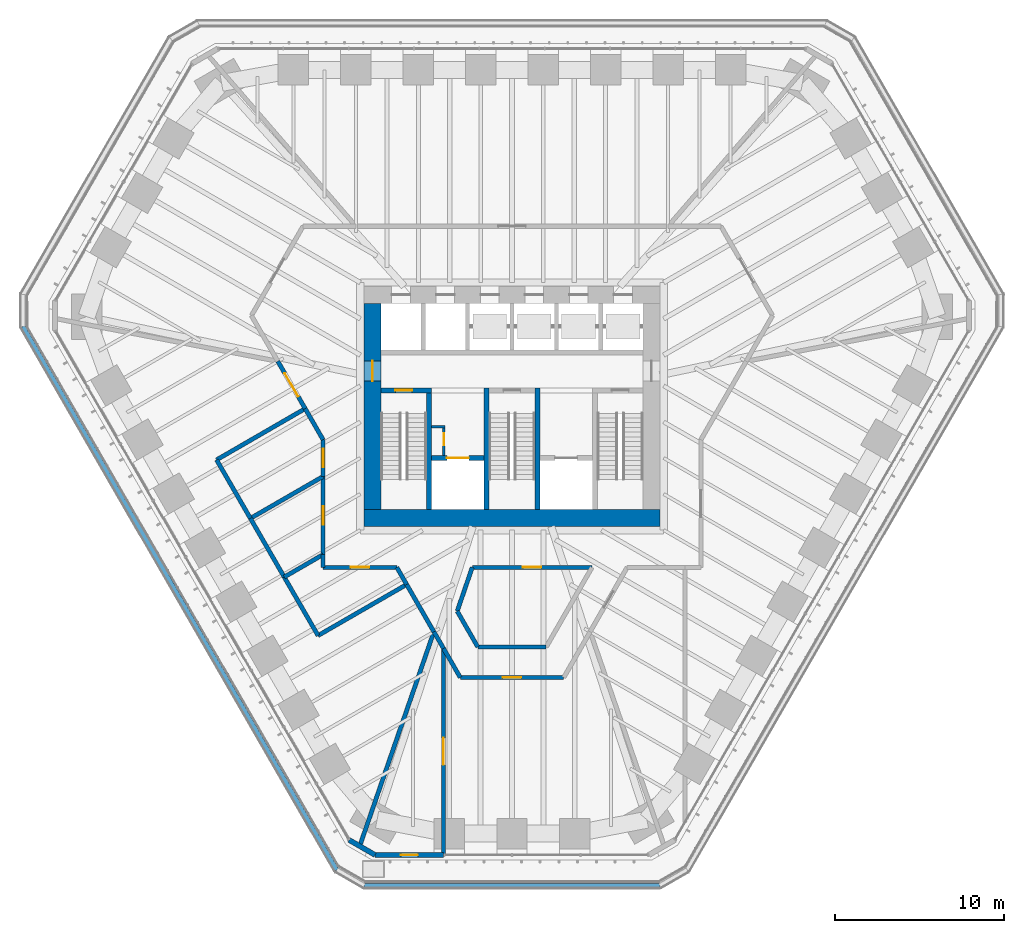
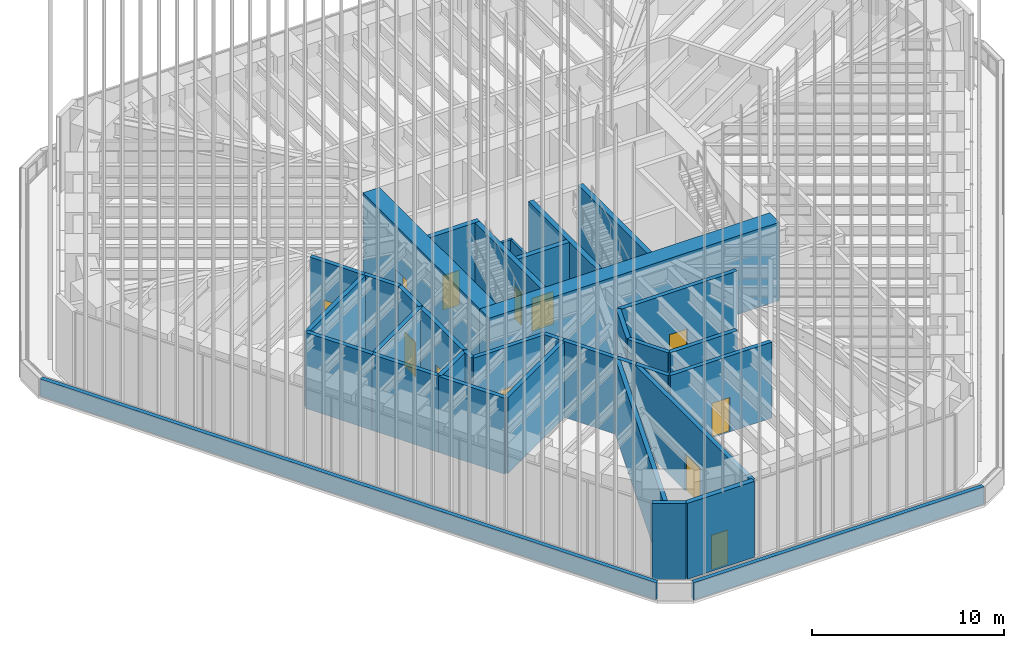
# One storey, part 220 of 228: 37 walls, 12 doors, 12 openings.
"""IFC4 building model written with IfcOpenShell, lengths in metres."""

import ifcopenshell
import ifcopenshell.guid

model = None  # the IFC model being written
_history = None  # IfcOwnerHistory: only IFC2X3 demands one
_inside = {}  # id of a spatial element -> (the spatial element, [elements in it])
_under = {}  # id of a project, library or spatial element -> (it, [spatial elements below it])
_declared = {}  # id of a project -> (the project, [libraries it declares])
_typed = {}  # id of a type object -> (the type object, [elements of that type])
_made_of = {}  # id of a material, layer set ... -> (it, [elements and type objects made of it])


def new_model(schema):
    """Start an empty IFC model of exactly this schema.

    Asked for "IFC4X3", IfcOpenShell would pick the latest addendum, in which some entities
    have other attributes; the version numbers below select the first issue.
    IFC2X3 requires an IfcOwnerHistory on every rooted entity: one is made here for all.
    """
    global model, _history
    if schema == "IFC4X3":
        model = ifcopenshell.file(schema_version=(4, 3, 0, 0))
    else:
        model = ifcopenshell.file(schema=schema)
    _inside.clear()
    _under.clear()
    _declared.clear()
    _typed.clear()
    _made_of.clear()
    _history = None
    if model.schema == "IFC2X3":
        org = make("IfcOrganization", Name="unknown")
        user = make(
            "IfcPersonAndOrganization",
            ThePerson=make("IfcPerson", FamilyName="unknown"),
            TheOrganization=org,
        )
        app = make(
            "IfcApplication",
            ApplicationDeveloper=org,
            Version="unknown",
            ApplicationFullName="unknown",
            ApplicationIdentifier="unknown",
        )
        _history = make(
            "IfcOwnerHistory",
            OwningUser=user,
            OwningApplication=app,
            ChangeAction="ADDED",
            CreationDate=0,
        )
    return model


def make(cls, **values):
    """One entity of the class cls with the attributes given. An attribute that is None is left unset."""
    return model.create_entity(
        cls, **{name: value for name, value in values.items() if value is not None}
    )


def rooted(cls, **values):
    """An entity with a GlobalId (a new one), such as an element, a storey or a relation."""
    return make(cls, GlobalId=ifcopenshell.guid.new(), OwnerHistory=_history, **values)


def si_unit(unit_type, name, prefix=None):
    """IfcSIUnit, for example si_unit("LENGTHUNIT", "METRE", prefix="MILLI")."""
    return make("IfcSIUnit", UnitType=unit_type, Prefix=prefix, Name=name)


def assignment(units):
    """IfcUnitAssignment: the units of a project."""
    return None if units is None else make("IfcUnitAssignment", Units=units)


def point(xyz):
    """IfcCartesianPoint."""
    return None if xyz is None else make("IfcCartesianPoint", Coordinates=xyz)


def direction(xyz):
    """IfcDirection."""
    return None if xyz is None else make("IfcDirection", DirectionRatios=xyz)


def frame(location, z_axis=None, x_axis=None):
    """IfcAxis2Placement3D, a coordinate frame: its origin and axes. An axis left out is left unset."""
    return make(
        "IfcAxis2Placement3D",
        Location=point(location),
        Axis=direction(z_axis),
        RefDirection=direction(x_axis),
    )


def frame_2d(location, x_axis=None):
    """IfcAxis2Placement2D, a coordinate frame in the plane: its origin and x axis."""
    return make(
        "IfcAxis2Placement2D", Location=point(location), RefDirection=direction(x_axis)
    )


def origin():
    """The frame at (0, 0, 0) with its axes left unset."""
    return frame((0.0, 0.0, 0.0))


def place(relative_to, where):
    """IfcLocalPlacement: puts the frame where relative to a parent placement (None: the world)."""
    return make(
        "IfcLocalPlacement", PlacementRelTo=relative_to, RelativePlacement=where
    )


def context(
    kind, dimensions, precision=None, world=None, true_north=None, identifier=None
):
    """IfcGeometricRepresentationContext, for example the 3D "Model" context."""
    return make(
        "IfcGeometricRepresentationContext",
        ContextIdentifier=identifier,
        ContextType=kind,
        CoordinateSpaceDimension=dimensions,
        Precision=precision,
        WorldCoordinateSystem=world,
        TrueNorth=true_north,
    )


def subcontext(parent, identifier, kind, view, scale=None):
    """IfcGeometricRepresentationSubContext, for example "Body" below "Model"."""
    return make(
        "IfcGeometricRepresentationSubContext",
        ContextIdentifier=identifier,
        ContextType=kind,
        ParentContext=parent,
        TargetScale=scale,
        TargetView=view,
    )


def project(units=None, contexts=None):
    """IfcProject with its units and contexts."""
    return rooted(
        "IfcProject",
        Name="project",
        RepresentationContexts=contexts,
        UnitsInContext=assignment(units),
    )


def spatial(cls, under=None, at=None, **own):
    """A site, building, storey or space (cls), placed at a placement, below another one or the project."""
    s = rooted(cls, ObjectPlacement=at, **own)
    if under is not None:
        _under.setdefault(under.id(), (under, []))[1].append(s)
    return s


def profile(cls, at=None, kind="AREA", **sizes):
    """A parametric profile (cls). Its sizes go by their IFC names, for example OverallWidth=200.0."""
    return make(cls, ProfileType=kind, Position=at, **sizes)


def rectangle(**sizes):
    """IfcRectangleProfileDef."""
    return profile("IfcRectangleProfileDef", **sizes)


def extrude(swept, where, along, depth):
    """IfcExtrudedAreaSolid: the profile swept, set in the frame where, extruded along a direction by depth."""
    return make(
        "IfcExtrudedAreaSolid",
        SweptArea=swept,
        Position=where,
        ExtrudedDirection=direction(along),
        Depth=depth,
    )


def shape(context_of_items, identifier, shape_type, items):
    """IfcShapeRepresentation: the items that make up one representation, for example the "Body"."""
    return make(
        "IfcShapeRepresentation",
        ContextOfItems=context_of_items,
        RepresentationIdentifier=identifier,
        RepresentationType=shape_type,
        Items=items,
    )


def material(Name=None, Category=None):
    """IfcMaterial."""
    return make("IfcMaterial", Name=Name, Category=Category)


def layer(
    of_material, thickness, ventilated=None, Name=None, Category=None, Priority=None
):
    """IfcMaterialLayer: one layer of a wall or slab, of a material (None: an air gap)."""
    return make(
        "IfcMaterialLayer",
        Material=of_material,
        LayerThickness=thickness,
        IsVentilated=ventilated,
        Name=Name,
        Category=Category,
        Priority=Priority,
    )


def layer_set(layers, Name=None):
    """IfcMaterialLayerSet."""
    return make("IfcMaterialLayerSet", MaterialLayers=layers, LayerSetName=Name)


def made_of(thing, what):
    """Note that an element or type object is made of a material, layer set ...; save() writes the relation."""
    if what is not None:
        _made_of.setdefault(what.id(), (what, []))[1].append(thing)
    return thing


def type_object(cls, material=None, **own):
    """A type object (cls), such as IfcWallType, which elements share."""
    return made_of(rooted(cls, **own), material)


def element(
    cls,
    number,
    at=None,
    inside=None,
    cuts=None,
    type_object=None,
    material=None,
    context=None,
    identifier="Body",
    shape_type=None,
    held_by="IfcProductDefinitionShape",
    body=None,
    shapes=None,
    **own,
):
    """One element of the class cls, such as IfcWall. Its Tag is "e" and its number.

    at: its placement. inside: the storey or other place that contains it. cuts: it is an
    opening in that element (IfcRelVoidsElement). A single representation is given by context,
    identifier, shape_type and body (its items); several are given by shapes. held_by: the class
    of the entity that holds the representations. save() writes the other relations.
    """
    e = rooted(cls, Tag="e%d" % number, ObjectPlacement=at, **own)
    if body is not None:
        shapes = [shape(context, identifier, shape_type, body)]
    if shapes is not None:
        e.Representation = make(held_by, Representations=shapes)
    if inside is not None:
        _inside.setdefault(inside.id(), (inside, []))[1].append(e)
    if cuts is not None:
        rooted(
            "IfcRelVoidsElement", RelatingBuildingElement=cuts, RelatedOpeningElement=e
        )
    if type_object is not None:
        _typed.setdefault(type_object.id(), (type_object, []))[1].append(e)
    return made_of(e, material)


def fill(opening, filler):
    """IfcRelFillsElement: the door or window that sits in an opening."""
    return rooted(
        "IfcRelFillsElement",
        RelatingOpeningElement=opening,
        RelatedBuildingElement=filler,
    )


def aggregate(whole, parts):
    """IfcRelAggregates: a whole, such as a stair, and the parts it consists of."""
    return rooted("IfcRelAggregates", RelatingObject=whole, RelatedObjects=parts)


def save(model, path):
    """Write the relations noted so far, then the file.

    IfcRelAggregates (storeys below a building ...), IfcRelContainedInSpatialStructure (elements
    in a storey), IfcRelDefinesByType, IfcRelAssociatesMaterial and IfcRelDeclares: one each for
    every whole, place, type object, material and project.
    """
    for whole, parts in _under.values():
        aggregate(whole, parts)
    for where, things in _inside.values():
        rooted(
            "IfcRelContainedInSpatialStructure",
            RelatedElements=things,
            RelatingStructure=where,
        )
    for kind, things in _typed.values():
        rooted("IfcRelDefinesByType", RelatedObjects=things, RelatingType=kind)
    for what, things in _made_of.values():
        rooted("IfcRelAssociatesMaterial", RelatedObjects=things, RelatingMaterial=what)
    for by, libraries in _declared.values():
        rooted("IfcRelDeclares", RelatingContext=by, RelatedDefinitions=libraries)
    model.write(path)


model = new_model("IFC4")

# Units and contexts
model_context = context("Model", 3, precision=1e-05, world=origin(), true_north=direction((0.0, 1.0)))
body_context = subcontext(model_context, "Body", "Model", "MODEL_VIEW")
ifc_project = project(units=[si_unit("LENGTHUNIT", "METRE"), si_unit("AREAUNIT", "SQUARE_METRE"), si_unit("VOLUMEUNIT", "CUBIC_METRE"), si_unit("PLANEANGLEUNIT", "RADIAN"), si_unit("MASSUNIT", "GRAM", prefix="KILO")], contexts=[model_context])

# Site, building, storey
site_placement = place(None, origin())
site = spatial("IfcSite", under=ifc_project, at=site_placement, CompositionType="ELEMENT")
building_placement = place(site_placement, origin())
building = spatial("IfcBuilding", under=site, at=building_placement, Name="Sandreach Pilgrim Tower", CompositionType="ELEMENT")
storey_placement = place(building_placement, frame((0.0, 0.0, 178.199951171875)))
storey = spatial("IfcBuildingStorey", under=building, at=storey_placement, Name="L44", CompositionType="ELEMENT", Elevation=178.199951171875)

# Walls
ifc_material_1 = material(Name="Concrete 10000 psi", Category="concrete")
ifc_layer_1 = layer(ifc_material_1, 0.300048828125)
ifc_layer_set_1 = layer_set([ifc_layer_1], Name="Core inner wall 300")
wall_type_1 = type_object("IfcWallType", Name="Core inner wall 300", PredefinedType="SHEAR", material=ifc_layer_set_1)
for number, where, z_axis, x_axis, name in (
    (1, (-4.89990234375, -6.10009765625, 0.0), (0.0, 0.0, 1.0), (0.0, 1.0, 0.0), "Core wall I0 L44"),
    (2, (-1.5, -6.10009765625, 0.0), (0.0, 0.0, 1.0), (0.0, 1.0, 0.0), "Core wall I1 L44"),
    (3, (1.5, -6.10009765625, 0.0), (0.0, 0.0, 1.0), (0.0, 1.0, 0.0), "Core wall I2 L44"),
):
    element("IfcWall", number, at=place(storey_placement, frame(where, z_axis=z_axis, x_axis=x_axis)), inside=storey, type_object=wall_type_1, Name=name, PredefinedType="SHEAR", context=body_context, shape_type="SweptSolid", body=[
        extrude(rectangle(XDim=7.2001953125, YDim=0.300048828125, at=frame_2d((3.60009765625, 0.0))), origin(), (0.0, 0.0, 1.0), 5.0),
    ])

# Wall, opening, door
wall_1_placement = place(storey_placement, frame((-7.75, 0.949951171875, 0.0), z_axis=(0.0, 0.0, 1.0), x_axis=(1.0, 0.0, 0.0)))
wall_1 = element("IfcWall", 4, at=wall_1_placement, inside=storey, type_object=wall_type_1, Name="Core wall SN1 L44", PredefinedType="SHEAR", context=body_context, shape_type="SweptSolid", body=[
    extrude(rectangle(XDim=3.0, YDim=0.300048828125, at=frame_2d((1.5, 0.0))), origin(), (0.0, 0.0, 1.0), 5.0),
])
opening_1_placement = place(wall_1_placement, frame((0.85009765625, 0.0, 0.0)))
opening_1 = element("IfcOpeningElement", 5, at=opening_1_placement, cuts=wall_1, Name="Opening D10S-ST1", PredefinedType="OPENING", context=body_context, shape_type="SweptSolid", body=[
    extrude(rectangle(XDim=1.0, YDim=2.199951171875, at=frame_2d((0.5, 1.10009765625))), frame((0.0, 0.14990234375, 0.0), z_axis=(0.0, -1.0, 0.0), x_axis=(1.0, 0.0, 0.0)), (0.0, 0.0, 1.0), 0.300048828125),
])
ifc_material_2 = material(Name="Steel door and frame", Category="steel")
door_type_1 = type_object("IfcDoorType", Name="Stair door", OperationType="SINGLE_SWING_LEFT", PredefinedType="DOOR", material=ifc_material_2)
door_1_placement = place(opening_1_placement, origin())
door_1 = element("IfcDoor", 6, at=door_1_placement, inside=storey, type_object=door_type_1, Name="Stair door ST1 L44", OperationType="SINGLE_SWING_LEFT", OverallHeight=2.199951171875, OverallWidth=1.0, PredefinedType="DOOR", context=body_context, shape_type="SweptSolid", body=[
    extrude(rectangle(XDim=1.0, YDim=2.199951171875, at=frame_2d((0.5, 1.10009765625))), frame((0.0, 0.02490234375, 0.0), z_axis=(0.0, -1.0, 0.0), x_axis=(1.0, 0.0, 0.0)), (0.0, 0.0, 1.0), 0.050048828125),
])
fill(opening_1, door_1)

wall_2_placement = place(storey_placement, frame((-4.75, -3.050048828125, 0.0), z_axis=(0.0, 0.0, 1.0), x_axis=(1.0, 0.0, 0.0)))
wall_2 = element("IfcWall", 7, at=wall_2_placement, inside=storey, type_object=wall_type_1, Name="Core wall FL1 L44", PredefinedType="SHEAR", context=body_context, shape_type="SweptSolid", body=[
    extrude(rectangle(XDim=3.10009765625, YDim=0.300048828125, at=frame_2d((1.550048828125, 0.0))), origin(), (0.0, 0.0, 1.0), 5.0),
])
opening_2_placement = place(wall_2_placement, frame((0.89990234375, 0.0, 0.0)))
opening_2 = element("IfcOpeningElement", 8, at=opening_2_placement, cuts=wall_2, Name="Opening LD13", PredefinedType="OPENING", context=body_context, shape_type="SweptSolid", body=[
    extrude(rectangle(XDim=1.300048828125, YDim=2.10009765625, at=frame_2d((0.64990234375, 1.050048828125))), frame((0.0, 0.14990234375, 0.0), z_axis=(0.0, -1.0, 0.0), x_axis=(1.0, 0.0, 0.0)), (0.0, 0.0, 1.0), 0.300048828125),
])
ifc_material_3 = material(Name="Steel door and frame", Category="steel")
door_type_2 = type_object("IfcDoorType", Name="Fire service lift landing door", OperationType="DOUBLE_DOOR_SLIDING", PredefinedType="DOOR", material=ifc_material_3)
door_2_placement = place(opening_2_placement, origin())
door_2 = element("IfcDoor", 9, at=door_2_placement, inside=storey, type_object=door_type_2, Name="Lift landing door FS1 L44", OperationType="DOUBLE_DOOR_SLIDING", OverallHeight=2.10009765625, OverallWidth=1.300048828125, PredefinedType="DOOR", context=body_context, shape_type="SweptSolid", body=[
    extrude(rectangle(XDim=1.300048828125, YDim=2.10009765625, at=frame_2d((0.64990234375, 1.050048828125))), frame((0.0, 0.02490234375, 0.0), z_axis=(0.0, -1.0, 0.0), x_axis=(1.0, 0.0, 0.0)), (0.0, 0.0, 1.0), 0.050048828125),
])
fill(opening_2, door_2)

# Wall
ifc_material_4 = material(Name="Concrete 10000 psi", Category="concrete")
ifc_layer_2 = layer(ifc_material_4, 1.0)
ifc_layer_set_2 = layer_set([ifc_layer_2], Name="Core wall 1000")
wall_type_2 = type_object("IfcWallType", Name="Core wall 1000", PredefinedType="SHEAR", material=ifc_layer_set_2)
wall_3_placement = place(storey_placement, frame((-8.75, -6.60009765625, 0.0), z_axis=(0.0, 0.0, 1.0), x_axis=(1.0, 0.0, 0.0)))
element("IfcWall", 10, at=wall_3_placement, inside=storey, type_object=wall_type_2, Name="Core wall S L44", PredefinedType="SHEAR", context=body_context, shape_type="SweptSolid", body=[
    extrude(rectangle(XDim=17.5, YDim=1.0, at=frame_2d((8.75, 0.0))), origin(), (0.0, 0.0, 1.0), 5.0),
])

# Wall, opening, door
wall_4_placement = place(storey_placement, frame((-8.25, -6.10009765625, 0.0), z_axis=(0.0, 0.0, 1.0), x_axis=(0.0, 1.0, 0.0)))
wall_4 = element("IfcWall", 11, at=wall_4_placement, inside=storey, type_object=wall_type_2, Name="Core wall W L44", PredefinedType="SHEAR", context=body_context, shape_type="SweptSolid", body=[
    extrude(rectangle(XDim=12.2001953125, YDim=1.0, at=frame_2d((6.10009765625, 0.0))), origin(), (0.0, 0.0, 1.0), 5.0),
])
opening_3_placement = place(wall_4_placement, frame((7.60009765625, 0.0, 0.0)))
opening_3 = element("IfcOpeningElement", 12, at=opening_3_placement, cuts=wall_4, Name="Opening D12F-W", PredefinedType="OPENING", context=body_context, shape_type="SweptSolid", body=[
    extrude(rectangle(XDim=1.199951171875, YDim=2.199951171875, at=frame_2d((0.60009765625, 1.10009765625))), frame((0.0, 0.5, 0.0), z_axis=(0.0, -1.0, 0.0), x_axis=(1.0, 0.0, 0.0)), (0.0, 0.0, 1.0), 1.0),
])
ifc_material_5 = material(Name="Steel door and frame", Category="steel")
door_type_3 = type_object("IfcDoorType", Name="Fire lobby door", OperationType="SINGLE_SWING_LEFT", PredefinedType="DOOR", material=ifc_material_5)
door_3_placement = place(opening_3_placement, origin())
door_3 = element("IfcDoor", 13, at=door_3_placement, inside=storey, type_object=door_type_3, Name="Fire service lobby door W L44", OperationType="SINGLE_SWING_RIGHT", OverallHeight=2.199951171875, OverallWidth=1.199951171875, PredefinedType="DOOR", context=body_context, shape_type="SweptSolid", body=[
    extrude(rectangle(XDim=1.199951171875, YDim=2.199951171875, at=frame_2d((0.60009765625, 1.10009765625))), frame((0.0, 0.02490234375, 0.0), z_axis=(0.0, -1.0, 0.0), x_axis=(1.0, 0.0, 0.0)), (0.0, 0.0, 1.0), 0.050048828125),
])
fill(opening_3, door_3)

# Walls
ifc_material_6 = material(Name="Acoustic gypsum board wall, double frame", Category="gypsum")
ifc_layer_3 = layer(ifc_material_6, 0.25)
ifc_layer_set_3 = layer_set([ifc_layer_3], Name="Hall partition 250")
wall_type_3 = type_object("IfcWallType", Name="Hall partition 250", PredefinedType="PARTITIONING", material=ifc_layer_set_3)
wall_5_placement = place(storey_placement, frame((-17.469970703125, -3.159912109375, 0.0), z_axis=(0.0, 0.0, 1.0), x_axis=(0.50044857655, -0.865766263046, 0.0)))
element("IfcWall", 14, at=wall_5_placement, inside=storey, type_object=wall_type_3, Name="Hall partition L44-002", PredefinedType="PARTITIONING", context=body_context, shape_type="SweptSolid", body=[
    extrude(rectangle(XDim=3.996337890625, YDim=0.25, at=frame_2d((1.998046875, 0.0))), origin(), (0.0, 0.0, 1.0), 4.840087890625),
])
wall_6_placement = place(storey_placement, frame((-15.469970703125, -6.6201171875, 0.0), z_axis=(0.0, 0.0, 1.0), x_axis=(0.499365324853, -0.866391523697, 0.0)))
element("IfcWall", 15, at=wall_6_placement, inside=storey, type_object=wall_type_3, Name="Hall partition L44-003", PredefinedType="PARTITIONING", context=body_context, shape_type="SweptSolid", body=[
    extrude(rectangle(XDim=4.005126953125, YDim=0.25, at=frame_2d((2.00244140625, 0.0))), origin(), (0.0, 0.0, 1.0), 4.840087890625),
])

# Wall, opening, door
wall_7_placement = place(storey_placement, frame((-13.85009765625, 2.669921875, 0.0), z_axis=(0.0, 0.0, 1.0), x_axis=(0.50081313458, -0.865555431057, 0.0)))
wall_7 = element("IfcWall", 16, at=wall_7_placement, inside=storey, type_object=wall_type_3, Name="Hall partition L44-005", PredefinedType="PARTITIONING", context=body_context, shape_type="SweptSolid", body=[
    extrude(rectangle(XDim=3.23486328125, YDim=0.25, at=frame_2d((1.617431640625, 0.0))), origin(), (0.0, 0.0, 1.0), 4.840087890625),
])
opening_4_placement = place(wall_7_placement, frame((0.8173828125, 0.0, 0.0)))
opening_4 = element("IfcOpeningElement", 17, at=opening_4_placement, cuts=wall_7, Name="Opening D16-05", PredefinedType="OPENING", context=body_context, shape_type="SweptSolid", body=[
    extrude(rectangle(XDim=1.60009765625, YDim=2.39990234375, at=frame_2d((0.800048828125, 1.199951171875))), frame((0.0, 0.125, 0.0), z_axis=(0.0, -1.0, 0.0), x_axis=(1.0, 0.0, 0.0)), (0.0, 0.0, 1.0), 0.25),
])
ifc_material_7 = material(Name="Steel door and frame", Category="steel")
door_type_4 = type_object("IfcDoorType", Name="Hall double door", OperationType="DOUBLE_DOOR_SINGLE_SWING", PredefinedType="DOOR", material=ifc_material_7)
door_4_placement = place(opening_4_placement, origin())
door_4 = element("IfcDoor", 18, at=door_4_placement, inside=storey, type_object=door_type_4, Name="Door 4405", OperationType="DOUBLE_DOOR_SINGLE_SWING", OverallHeight=2.39990234375, OverallWidth=1.60009765625, PredefinedType="DOOR", context=body_context, shape_type="SweptSolid", body=[
    extrude(rectangle(XDim=1.60009765625, YDim=2.39990234375, at=frame_2d((0.800048828125, 1.199951171875))), frame((0.0, 0.02490234375, 0.0), z_axis=(0.0, -1.0, 0.0), x_axis=(1.0, 0.0, 0.0)), (0.0, 0.0, 1.0), 0.050048828125),
])
fill(opening_4, door_4)

# Walls
wall_8_placement = place(storey_placement, frame((-13.469970703125, -10.090087890625, 0.0), z_axis=(0.0, 0.0, 1.0), x_axis=(0.50044857655, -0.865766263046, 0.0)))
element("IfcWall", 19, at=wall_8_placement, inside=storey, type_object=wall_type_3, Name="Hall partition L44-006", PredefinedType="PARTITIONING", context=body_context, shape_type="SweptSolid", body=[
    extrude(rectangle(XDim=3.996337890625, YDim=0.25, at=frame_2d((1.998046875, 0.0))), origin(), (0.0, 0.0, 1.0), 4.840087890625),
])
wall_9_placement = place(storey_placement, frame((-12.22998046875, -0.1298828125, 0.0), z_axis=(0.0, 0.0, 1.0), x_axis=(-0.865687585241, -0.500584662928, 0.0)))
element("IfcWall", 20, at=wall_9_placement, inside=storey, type_object=wall_type_3, Name="Hall partition L44-008", PredefinedType="PARTITIONING", context=body_context, shape_type="SweptSolid", body=[
    extrude(rectangle(XDim=6.052978515625, YDim=0.25, at=frame_2d((3.0263671875, 0.0))), origin(), (0.0, 0.0, 1.0), 4.840087890625),
])
wall_10_placement = place(storey_placement, frame((-12.22998046875, -0.1298828125, 0.0), z_axis=(0.0, 0.0, 1.0), x_axis=(0.499181595673, -0.866497394423, 0.0)))
element("IfcWall", 21, at=wall_10_placement, inside=storey, type_object=wall_type_3, Name="Hall partition L44-009", PredefinedType="PARTITIONING", context=body_context, shape_type="SweptSolid", body=[
    extrude(rectangle(XDim=2.12353515625, YDim=0.25, at=frame_2d((1.061767578125, 0.0))), origin(), (0.0, 0.0, 1.0), 4.840087890625),
])
wall_11_placement = place(storey_placement, frame((-11.469970703125, -13.550048828125, 0.0), z_axis=(0.0, 0.0, 1.0), x_axis=(0.866403916982, 0.499343822069, 0.0)))
element("IfcWall", 22, at=wall_11_placement, inside=storey, type_object=wall_type_3, Name="Hall partition L44-010", PredefinedType="PARTITIONING", context=body_context, shape_type="SweptSolid", body=[
    extrude(rectangle(XDim=6.048095703125, YDim=0.25, at=frame_2d((3.02392578125, 0.0))), origin(), (0.0, 0.0, 1.0), 4.840087890625),
])

# Wall, opening, door
wall_12_placement = place(storey_placement, frame((-11.169921875, -9.52001953125, 0.0), z_axis=(0.0, 0.0, 1.0), x_axis=(1.0, 0.0, 0.0)))
wall_12 = element("IfcWall", 23, at=wall_12_placement, inside=storey, type_object=wall_type_3, Name="Hall partition L44-011", PredefinedType="PARTITIONING", context=body_context, shape_type="SweptSolid", body=[
    extrude(rectangle(XDim=4.35986328125, YDim=0.25, at=frame_2d((2.179931640625, 0.0))), origin(), (0.0, 0.0, 1.0), 4.840087890625),
])
opening_5_placement = place(wall_12_placement, frame((1.6298828125, 0.0, 0.0)))
opening_5 = element("IfcOpeningElement", 24, at=opening_5_placement, cuts=wall_12, Name="Opening D11H-T3", PredefinedType="OPENING", context=body_context, shape_type="SweptSolid", body=[
    extrude(rectangle(XDim=1.10009765625, YDim=2.199951171875, at=frame_2d((0.550048828125, 1.10009765625))), frame((0.0, 0.125, 0.0), z_axis=(0.0, -1.0, 0.0), x_axis=(1.0, 0.0, 0.0)), (0.0, 0.0, 1.0), 0.25),
])
ifc_material_8 = material(Name="Steel door and frame", Category="steel")
door_type_5 = type_object("IfcDoorType", Name="Back of house door", OperationType="SINGLE_SWING_LEFT", PredefinedType="DOOR", material=ifc_material_8)
door_5_placement = place(opening_5_placement, origin())
door_5 = element("IfcDoor", 25, at=door_5_placement, inside=storey, type_object=door_type_5, Name="Door 44T3", OperationType="SINGLE_SWING_LEFT", OverallHeight=2.199951171875, OverallWidth=1.10009765625, PredefinedType="DOOR", context=body_context, shape_type="SweptSolid", body=[
    extrude(rectangle(XDim=1.10009765625, YDim=2.199951171875, at=frame_2d((0.550048828125, 1.10009765625))), frame((0.0, 0.02490234375, 0.0), z_axis=(0.0, -1.0, 0.0), x_axis=(1.0, 0.0, 0.0)), (0.0, 0.0, 1.0), 0.050048828125),
])
fill(opening_5, door_5)

# Walls
wall_13_placement = place(storey_placement, frame((-11.169921875, -8.760009765625, 0.0), z_axis=(0.0, 0.0, 1.0), x_axis=(-0.865675724273, -0.500605174168, 0.0)))
element("IfcWall", 26, at=wall_13_placement, inside=storey, type_object=wall_type_3, Name="Hall partition L44-012", PredefinedType="PARTITIONING", context=body_context, shape_type="SweptSolid", body=[
    extrude(rectangle(XDim=2.656982421875, YDim=0.25, at=frame_2d((1.32861328125, 0.0))), origin(), (0.0, 0.0, 1.0), 4.840087890625),
])
wall_14_placement = place(storey_placement, frame((-11.169921875, -8.760009765625, 0.0), z_axis=(0.0, 0.0, 1.0), x_axis=(0.0, -1.0, 0.0)))
element("IfcWall", 27, at=wall_14_placement, inside=storey, type_object=wall_type_3, Name="Hall partition L44-013", PredefinedType="PARTITIONING", context=body_context, shape_type="SweptSolid", body=[
    extrude(rectangle(XDim=0.760009765625, YDim=0.25, at=frame_2d((0.3798828125, 0.0))), origin(), (0.0, 0.0, 1.0), 4.840087890625),
])
wall_15_placement = place(storey_placement, frame((-11.169921875, -4.139892578125, 0.0), z_axis=(0.0, 0.0, 1.0), x_axis=(-0.866235527521, -0.499635878276, 0.0)))
element("IfcWall", 28, at=wall_15_placement, inside=storey, type_object=wall_type_3, Name="Hall partition L44-014", PredefinedType="PARTITIONING", context=body_context, shape_type="SweptSolid", body=[
    extrude(rectangle(XDim=4.964111328125, YDim=0.25, at=frame_2d((2.48193359375, 0.0))), origin(), (0.0, 0.0, 1.0), 4.840087890625),
])

# Wall, opening, door
wall_16_placement = place(storey_placement, frame((-11.169921875, -4.139892578125, 0.0), z_axis=(0.0, 0.0, 1.0), x_axis=(0.0, -1.0, 0.0)))
wall_16 = element("IfcWall", 29, at=wall_16_placement, inside=storey, type_object=wall_type_3, Name="Hall partition L44-015", PredefinedType="PARTITIONING", context=body_context, shape_type="SweptSolid", body=[
    extrude(rectangle(XDim=4.6201171875, YDim=0.25, at=frame_2d((2.31005859375, 0.0))), origin(), (0.0, 0.0, 1.0), 4.840087890625),
])
opening_6_placement = place(wall_16_placement, frame((1.760009765625, 0.0, 0.0)))
opening_6 = element("IfcOpeningElement", 30, at=opening_6_placement, cuts=wall_16, Name="Opening D11H-T2", PredefinedType="OPENING", context=body_context, shape_type="SweptSolid", body=[
    extrude(rectangle(XDim=1.10009765625, YDim=2.199951171875, at=frame_2d((0.550048828125, 1.10009765625))), frame((0.0, 0.125, 0.0), z_axis=(0.0, -1.0, 0.0), x_axis=(1.0, 0.0, 0.0)), (0.0, 0.0, 1.0), 0.25),
])
door_6_placement = place(opening_6_placement, origin())
door_6 = element("IfcDoor", 31, at=door_6_placement, inside=storey, type_object=door_type_5, Name="Door 44T2", OperationType="SINGLE_SWING_LEFT", OverallHeight=2.199951171875, OverallWidth=1.10009765625, PredefinedType="DOOR", context=body_context, shape_type="SweptSolid", body=[
    extrude(rectangle(XDim=1.10009765625, YDim=2.199951171875, at=frame_2d((0.550048828125, 1.10009765625))), frame((0.0, 0.02490234375, 0.0), z_axis=(0.0, -1.0, 0.0), x_axis=(1.0, 0.0, 0.0)), (0.0, 0.0, 1.0), 0.050048828125),
])
fill(opening_6, door_6)

wall_17_placement = place(storey_placement, frame((-11.169921875, -1.969970703125, 0.0), z_axis=(0.0, 0.0, 1.0), x_axis=(0.0, -1.0, 0.0)))
wall_17 = element("IfcWall", 32, at=wall_17_placement, inside=storey, type_object=wall_type_3, Name="Hall partition L44-016", PredefinedType="PARTITIONING", context=body_context, shape_type="SweptSolid", body=[
    extrude(rectangle(XDim=2.169921875, YDim=0.25, at=frame_2d((1.0849609375, 0.0))), origin(), (0.0, 0.0, 1.0), 4.840087890625),
])
opening_7_placement = place(wall_17_placement, frame((0.534912109375, 0.0, 0.0)))
opening_7 = element("IfcOpeningElement", 33, at=opening_7_placement, cuts=wall_17, Name="Opening D11H-T1", PredefinedType="OPENING", context=body_context, shape_type="SweptSolid", body=[
    extrude(rectangle(XDim=1.10009765625, YDim=2.199951171875, at=frame_2d((0.550048828125, 1.10009765625))), frame((0.0, 0.125, 0.0), z_axis=(0.0, -1.0, 0.0), x_axis=(1.0, 0.0, 0.0)), (0.0, 0.0, 1.0), 0.25),
])
door_7_placement = place(opening_7_placement, origin())
door_7 = element("IfcDoor", 34, at=door_7_placement, inside=storey, type_object=door_type_5, Name="Door 44T1", OperationType="SINGLE_SWING_LEFT", OverallHeight=2.199951171875, OverallWidth=1.10009765625, PredefinedType="DOOR", context=body_context, shape_type="SweptSolid", body=[
    extrude(rectangle(XDim=1.10009765625, YDim=2.199951171875, at=frame_2d((0.550048828125, 1.10009765625))), frame((0.0, 0.02490234375, 0.0), z_axis=(0.0, -1.0, 0.0), x_axis=(1.0, 0.0, 0.0)), (0.0, 0.0, 1.0), 0.050048828125),
])
fill(opening_7, door_7)

# Walls
wall_18_placement = place(storey_placement, frame((-6.81005859375, -9.52001953125, 0.0), z_axis=(0.0, 0.0, 1.0), x_axis=(0.499341299954, -0.866405370575, 0.0)))
element("IfcWall", 35, at=wall_18_placement, inside=storey, type_object=wall_type_3, Name="Hall partition L44-019", PredefinedType="PARTITIONING", context=body_context, shape_type="SweptSolid", body=[
    extrude(rectangle(XDim=1.16455078125, YDim=0.25, at=frame_2d((0.582275390625, 0.0))), origin(), (0.0, 0.0, 1.0), 4.840087890625),
])
wall_19_placement = place(storey_placement, frame((-4.6201171875, -13.330078125, 0.0), z_axis=(0.0, 0.0, 1.0), x_axis=(-0.327133057776, -0.944978286793, 0.0)))
element("IfcWall", 36, at=wall_19_placement, inside=storey, type_object=wall_type_3, Name="Hall partition L44-020", PredefinedType="PARTITIONING", context=body_context, shape_type="SweptSolid", body=[
    extrude(rectangle(XDim=13.419921875, YDim=0.25, at=frame_2d((6.7099609375, 0.0))), origin(), (0.0, 0.0, 1.0), 4.840087890625),
])
wall_20_placement = place(storey_placement, frame((-4.619873046875, -13.330078125, 0.0), z_axis=(0.0, 0.0, 1.0), x_axis=(-0.49848958573, 0.86689568745, 0.0)))
element("IfcWall", 37, at=wall_20_placement, inside=storey, type_object=wall_type_3, Name="Hall partition L44-021", PredefinedType="PARTITIONING", context=body_context, shape_type="SweptSolid", body=[
    extrude(rectangle(XDim=3.22998046875, YDim=0.25, at=frame_2d((1.614990234375, 0.0))), origin(), (0.0, 0.0, 1.0), 4.840087890625),
])

# Wall, opening, door
wall_21_placement = place(storey_placement, frame((-4.050048828125, -26.5, 0.0), z_axis=(0.0, 0.0, 1.0), x_axis=(0.0, 1.0, 0.0)))
wall_21 = element("IfcWall", 38, at=wall_21_placement, inside=storey, type_object=wall_type_3, Name="Hall partition L44-022", PredefinedType="PARTITIONING", context=body_context, shape_type="SweptSolid", body=[
    extrude(rectangle(XDim=12.18994140625, YDim=0.25, at=frame_2d((6.094970703125, 0.0))), origin(), (0.0, 0.0, 1.0), 4.840087890625),
])
opening_8_placement = place(wall_21_placement, frame((5.294921875, 0.0, 0.0)))
opening_8 = element("IfcOpeningElement", 39, at=opening_8_placement, cuts=wall_21, Name="Opening D16-N2H", PredefinedType="OPENING", context=body_context, shape_type="SweptSolid", body=[
    extrude(rectangle(XDim=1.60009765625, YDim=2.39990234375, at=frame_2d((0.800048828125, 1.199951171875))), frame((0.0, 0.125, 0.0), z_axis=(0.0, -1.0, 0.0), x_axis=(1.0, 0.0, 0.0)), (0.0, 0.0, 1.0), 0.25),
])
door_8_placement = place(opening_8_placement, origin())
door_8 = element("IfcDoor", 40, at=door_8_placement, inside=storey, type_object=door_type_4, Name="Door 44N2", OperationType="DOUBLE_DOOR_SINGLE_SWING", OverallHeight=2.39990234375, OverallWidth=1.60009765625, PredefinedType="DOOR", context=body_context, shape_type="SweptSolid", body=[
    extrude(rectangle(XDim=1.60009765625, YDim=2.39990234375, at=frame_2d((0.800048828125, 1.199951171875))), frame((0.0, 0.02490234375, 0.0), z_axis=(0.0, -1.0, 0.0), x_axis=(1.0, 0.0, 0.0)), (0.0, 0.0, 1.0), 0.050048828125),
])
fill(opening_8, door_8)

# Walls
wall_22_placement = place(storey_placement, frame((-4.050048828125, -14.31005859375, 0.0), z_axis=(0.0, 0.0, 1.0), x_axis=(-0.498895837979, 0.866661954194, 0.0)))
element("IfcWall", 41, at=wall_22_placement, inside=storey, type_object=wall_type_3, Name="Hall partition L44-023", PredefinedType="PARTITIONING", context=body_context, shape_type="SweptSolid", body=[
    extrude(rectangle(XDim=1.1337890625, YDim=0.25, at=frame_2d((0.56689453125, 0.0))), origin(), (0.0, 0.0, 1.0), 4.840087890625),
])
wall_23_placement = place(storey_placement, frame((-4.050048828125, -14.31005859375, 0.0), z_axis=(0.0, 0.0, 1.0), x_axis=(0.498852448655, -0.866686929907, 0.0)))
element("IfcWall", 42, at=wall_23_placement, inside=storey, type_object=wall_type_3, Name="Hall partition L44-024", PredefinedType="PARTITIONING", context=body_context, shape_type="SweptSolid", body=[
    extrude(rectangle(XDim=1.984619140625, YDim=0.25, at=frame_2d((0.9921875, 0.0))), origin(), (0.0, 0.0, 1.0), 4.840087890625),
])
wall_24_placement = place(storey_placement, frame((-3.239990234375, -12.110107421875, 0.0), z_axis=(0.0, 0.0, 1.0), x_axis=(0.324932772994, 0.94573711624, 0.0)))
element("IfcWall", 43, at=wall_24_placement, inside=storey, type_object=wall_type_3, Name="Hall partition L44-025", PredefinedType="PARTITIONING", context=body_context, shape_type="SweptSolid", body=[
    extrude(rectangle(XDim=2.73876953125, YDim=0.25, at=frame_2d((1.369384765625, 0.0))), origin(), (0.0, 0.0, 1.0), 4.840087890625),
])

# Wall, opening, door
wall_25_placement = place(storey_placement, frame((-3.06005859375, -16.030029296875, 0.0), z_axis=(0.0, 0.0, 1.0), x_axis=(1.0, 0.0, 0.0)))
wall_25 = element("IfcWall", 44, at=wall_25_placement, inside=storey, type_object=wall_type_3, Name="Hall partition L44-026", PredefinedType="PARTITIONING", context=body_context, shape_type="SweptSolid", body=[
    extrude(rectangle(XDim=6.1201171875, YDim=0.25, at=frame_2d((3.06005859375, 0.0))), origin(), (0.0, 0.0, 1.0), 4.840087890625),
])
opening_9_placement = place(wall_25_placement, frame((2.510009765625, 0.0, 0.0)))
opening_9 = element("IfcOpeningElement", 45, at=opening_9_placement, cuts=wall_25, Name="Opening D11H-04", PredefinedType="OPENING", context=body_context, shape_type="SweptSolid", body=[
    extrude(rectangle(XDim=1.10009765625, YDim=2.199951171875, at=frame_2d((0.550048828125, 1.10009765625))), frame((0.0, 0.125, 0.0), z_axis=(0.0, -1.0, 0.0), x_axis=(1.0, 0.0, 0.0)), (0.0, 0.0, 1.0), 0.25),
])
door_9_placement = place(opening_9_placement, origin())
door_9 = element("IfcDoor", 46, at=door_9_placement, inside=storey, type_object=door_type_5, Name="Door 4404", OperationType="SINGLE_SWING_LEFT", OverallHeight=2.199951171875, OverallWidth=1.10009765625, PredefinedType="DOOR", context=body_context, shape_type="SweptSolid", body=[
    extrude(rectangle(XDim=1.10009765625, YDim=2.199951171875, at=frame_2d((0.550048828125, 1.10009765625))), frame((0.0, 0.02490234375, 0.0), z_axis=(0.0, -1.0, 0.0), x_axis=(1.0, 0.0, 0.0)), (0.0, 0.0, 1.0), 0.050048828125),
])
fill(opening_9, door_9)

wall_26_placement = place(storey_placement, frame((-2.35009765625, -9.52001953125, 0.0), z_axis=(0.0, 0.0, 1.0), x_axis=(1.0, 0.0, 0.0)))
wall_26 = element("IfcWall", 47, at=wall_26_placement, inside=storey, type_object=wall_type_3, Name="Hall partition L44-027", PredefinedType="PARTITIONING", context=body_context, shape_type="SweptSolid", body=[
    extrude(rectangle(XDim=7.080078125, YDim=0.25, at=frame_2d((3.5400390625, 0.0))), origin(), (0.0, 0.0, 1.0), 4.840087890625),
])
opening_10_placement = place(wall_26_placement, frame((2.989990234375, 0.0, 0.0)))
opening_10 = element("IfcOpeningElement", 48, at=opening_10_placement, cuts=wall_26, Name="Opening D11H-B1", PredefinedType="OPENING", context=body_context, shape_type="SweptSolid", body=[
    extrude(rectangle(XDim=1.10009765625, YDim=2.199951171875, at=frame_2d((0.550048828125, 1.10009765625))), frame((0.0, 0.125, 0.0), z_axis=(0.0, -1.0, 0.0), x_axis=(1.0, 0.0, 0.0)), (0.0, 0.0, 1.0), 0.25),
])
door_10_placement = place(opening_10_placement, origin())
door_10 = element("IfcDoor", 49, at=door_10_placement, inside=storey, type_object=door_type_5, Name="Door 44B1", OperationType="SINGLE_SWING_LEFT", OverallHeight=2.199951171875, OverallWidth=1.10009765625, PredefinedType="DOOR", context=body_context, shape_type="SweptSolid", body=[
    extrude(rectangle(XDim=1.10009765625, YDim=2.199951171875, at=frame_2d((0.550048828125, 1.10009765625))), frame((0.0, 0.02490234375, 0.0), z_axis=(0.0, -1.0, 0.0), x_axis=(1.0, 0.0, 0.0)), (0.0, 0.0, 1.0), 0.050048828125),
])
fill(opening_10, door_10)

# Walls
wall_27_placement = place(storey_placement, frame((-2.02001953125, -14.22998046875, 0.0), z_axis=(0.0, 0.0, 1.0), x_axis=(-0.498748634132, 0.866746675766, 0.0)))
element("IfcWall", 50, at=wall_27_placement, inside=storey, type_object=wall_type_3, Name="Hall partition L44-028", PredefinedType="PARTITIONING", context=body_context, shape_type="SweptSolid", body=[
    extrude(rectangle(XDim=2.446044921875, YDim=0.25, at=frame_2d((1.22314453125, 0.0))), origin(), (0.0, 0.0, 1.0), 4.840087890625),
])
wall_28_placement = place(storey_placement, frame((2.02001953125, -14.22998046875, 0.0), z_axis=(0.0, 0.0, 1.0), x_axis=(-1.0, 0.0, 0.0)))
element("IfcWall", 51, at=wall_28_placement, inside=storey, type_object=wall_type_3, Name="Hall partition L44-029", PredefinedType="PARTITIONING", context=body_context, shape_type="SweptSolid", body=[
    extrude(rectangle(XDim=4.0400390625, YDim=0.25, at=frame_2d((2.02001953125, 0.0))), origin(), (0.0, 0.0, 1.0), 4.840087890625),
])

# Wall, opening, door
ifc_material_9 = material(Name="Gypsum shaft wall on steel studs, shaft liner board", Category="steel")
ifc_layer_4 = layer(ifc_material_9, 0.14990234375)
ifc_layer_set_4 = layer_set([ifc_layer_4], Name="Riser shaft wall 150")
wall_type_4 = type_object("IfcWallType", Name="Riser shaft wall 150", PredefinedType="PARTITIONING", material=ifc_layer_set_4)
wall_29_placement = place(storey_placement, frame((-4.02490234375, -2.89990234375, 0.0), z_axis=(0.0, 0.0, 1.0), x_axis=(0.0, 1.0, 0.0)))
wall_29 = element("IfcWall", 52, at=wall_29_placement, inside=storey, type_object=wall_type_4, Name="Riser partition L44 side", PredefinedType="PARTITIONING", context=body_context, shape_type="SweptSolid", body=[
    extrude(rectangle(XDim=1.77490234375, YDim=0.14990234375, at=frame_2d((0.887451171875, 0.0))), origin(), (0.0, 0.0, 1.0), 4.840087890625),
])
opening_11_placement = place(wall_29_placement, frame((0.60009765625, 0.0, 0.0)))
opening_11 = element("IfcOpeningElement", 53, at=opening_11_placement, cuts=wall_29, Name="Opening D07R", PredefinedType="OPENING", context=body_context, shape_type="SweptSolid", body=[
    extrude(rectangle(XDim=0.699951171875, YDim=2.10009765625, at=frame_2d((0.35009765625, 1.050048828125))), frame((0.0, 0.074951171875, 0.0), z_axis=(0.0, -1.0, 0.0), x_axis=(1.0, 0.0, 0.0)), (0.0, 0.0, 1.0), 0.14990234375),
])
ifc_material_10 = material(Name="Steel door and frame, smoke seals", Category="steel")
door_type_6 = type_object("IfcDoorType", Name="Riser access door", OperationType="SINGLE_SWING_RIGHT", PredefinedType="DOOR", material=ifc_material_10)
door_11_placement = place(opening_11_placement, origin())
door_11 = element("IfcDoor", 54, at=door_11_placement, inside=storey, type_object=door_type_6, Name="Door riser 44ER", OperationType="SINGLE_SWING_RIGHT", OverallHeight=2.10009765625, OverallWidth=0.699951171875, PredefinedType="DOOR", context=body_context, shape_type="SweptSolid", body=[
    extrude(rectangle(XDim=0.699951171875, YDim=2.10009765625, at=frame_2d((0.35009765625, 1.050048828125))), frame((0.0, 0.02490234375, 0.0), z_axis=(0.0, -1.0, 0.0), x_axis=(1.0, 0.0, 0.0)), (0.0, 0.0, 1.0), 0.050048828125),
])
fill(opening_11, door_11)

# Wall
wall_30_placement = place(storey_placement, frame((-4.75, -1.199951171875, 0.0), z_axis=(0.0, 0.0, 1.0), x_axis=(1.0, 0.0, 0.0)))
element("IfcWall", 55, at=wall_30_placement, inside=storey, type_object=wall_type_4, Name="Riser partition L44 front", PredefinedType="PARTITIONING", context=body_context, shape_type="SweptSolid", body=[
    extrude(rectangle(XDim=0.800048828125, YDim=0.14990234375, at=frame_2d((0.39990234375, 0.0))), origin(), (0.0, 0.0, 1.0), 4.840087890625),
])

# Wall, opening, door
ifc_material_11 = material(Name="Terracotta rainscreen on concrete blockwork", Category="masonry")
ifc_layer_5 = layer(ifc_material_11, 0.300048828125)
ifc_layer_set_5 = layer_set([ifc_layer_5], Name="Roof maintenance door wall")
wall_type_5 = type_object("IfcWallType", Name="Roof maintenance door wall", PredefinedType="SOLIDWALL", material=ifc_layer_set_5)
wall_31_placement = place(storey_placement, frame((-4.048583984375, -26.525146484375, 0.0), z_axis=(0.0, 0.0, 1.0), x_axis=(-1.0, 0.0, 0.0)))
wall_31 = element("IfcWall", 56, at=wall_31_placement, inside=storey, type_object=wall_type_5, Name="Roof maintenance door wall L44 S", PredefinedType="SOLIDWALL", context=body_context, shape_type="SweptSolid", body=[
    extrude(rectangle(XDim=4.048828125, YDim=0.300048828125, at=frame_2d((2.0244140625, 0.0))), origin(), (0.0, 0.0, 1.0), 4.840087890625),
])
opening_12_placement = place(wall_31_placement, frame((1.5244140625, 0.0, 0.0)))
opening_12 = element("IfcOpeningElement", 57, at=opening_12_placement, cuts=wall_31, Name="Opening D10R-L44", PredefinedType="OPENING", context=body_context, shape_type="SweptSolid", body=[
    extrude(rectangle(XDim=1.0, YDim=2.199951171875, at=frame_2d((0.5, 1.10009765625))), frame((0.0, 0.14990234375, 0.0), z_axis=(0.0, -1.0, 0.0), x_axis=(1.0, 0.0, 0.0)), (0.0, 0.0, 1.0), 0.300048828125),
])
ifc_material_12 = material(Name="Steel door and frame", Category="steel")
door_type_7 = type_object("IfcDoorType", Name="Roof maintenance door", OperationType="SINGLE_SWING_LEFT", PredefinedType="DOOR", material=ifc_material_12)
door_12_placement = place(opening_12_placement, origin())
door_12 = element("IfcDoor", 58, at=door_12_placement, inside=storey, type_object=door_type_7, Name="Roof maintenance door L44", OperationType="SINGLE_SWING_LEFT", OverallHeight=2.199951171875, OverallWidth=1.0, PredefinedType="DOOR", context=body_context, shape_type="SweptSolid", body=[
    extrude(rectangle(XDim=1.0, YDim=2.199951171875, at=frame_2d((0.5, 1.10009765625))), frame((0.0, 0.02490234375, 0.0), z_axis=(0.0, -1.0, 0.0), x_axis=(1.0, 0.0, 0.0)), (0.0, 0.0, 1.0), 0.050048828125),
])
fill(opening_12, door_12)

# Walls
ifc_material_13 = material(Name="Concrete parapet with terracotta coping", Category="masonry")
ifc_layer_6 = layer(ifc_material_13, 0.25)
ifc_layer_set_6 = layer_set([ifc_layer_6], Name="Setback parapet")
wall_type_6 = type_object("IfcWallType", Name="Setback parapet", PredefinedType="PARAPET", material=ifc_layer_set_6)
wall_32_placement = place(storey_placement, frame((-28.919189453125, 4.734130859375, 0.0), z_axis=(0.0, 0.0, 1.0), x_axis=(0.500001430823, -0.866024577697, 0.0)))
element("IfcWall", 59, at=wall_32_placement, inside=storey, type_object=wall_type_6, Name="Setback parapet L44 4", PredefinedType="PARAPET", context=body_context, shape_type="SweptSolid", body=[
    extrude(rectangle(XDim=37.119140625, YDim=0.25, at=frame_2d((18.5595703125, 0.0))), origin(), (0.0, 0.0, 1.0), 1.10009765625),
])
wall_33_placement = place(storey_placement, frame((-8.740478515625, -28.348876953125, 0.0), z_axis=(0.0, 0.0, 1.0), x_axis=(1.0, 0.0, 0.0)))
element("IfcWall", 60, at=wall_33_placement, inside=storey, type_object=wall_type_6, Name="Setback parapet L44 6", PredefinedType="PARAPET", context=body_context, shape_type="SweptSolid", body=[
    extrude(rectangle(XDim=17.48095703125, YDim=0.25, at=frame_2d((8.740478515625, 0.0))), origin(), (0.0, 0.0, 1.0), 1.10009765625),
])
ifc_material_14 = material(Name="Terracotta rainscreen on concrete", Category="masonry")
ifc_layer_7 = layer(ifc_material_14, 0.300048828125)
ifc_layer_set_7 = layer_set([ifc_layer_7], Name="Terracotta chamfer pier")
wall_type_7 = type_object("IfcWallType", Name="Terracotta chamfer pier", PredefinedType="SOLIDWALL", material=ifc_layer_set_7)
wall_34_placement = place(storey_placement, frame((-8.097412109375, -26.525146484375, 0.0), z_axis=(0.0, 0.0, 1.0), x_axis=(-0.866036293601, 0.499981137809, 0.0)))
element("IfcWall", 61, at=wall_34_placement, inside=storey, type_object=wall_type_7, Name="Chamfer pier L44 S", PredefinedType="SOLIDWALL", context=body_context, shape_type="SweptSolid", body=[
    extrude(rectangle(XDim=1.77001953125, YDim=0.300048828125, at=frame_2d((0.885009765625, 0.0))), origin(), (0.0, 0.0, 1.0), 4.840087890625),
])

save(model, "model.ifc")
